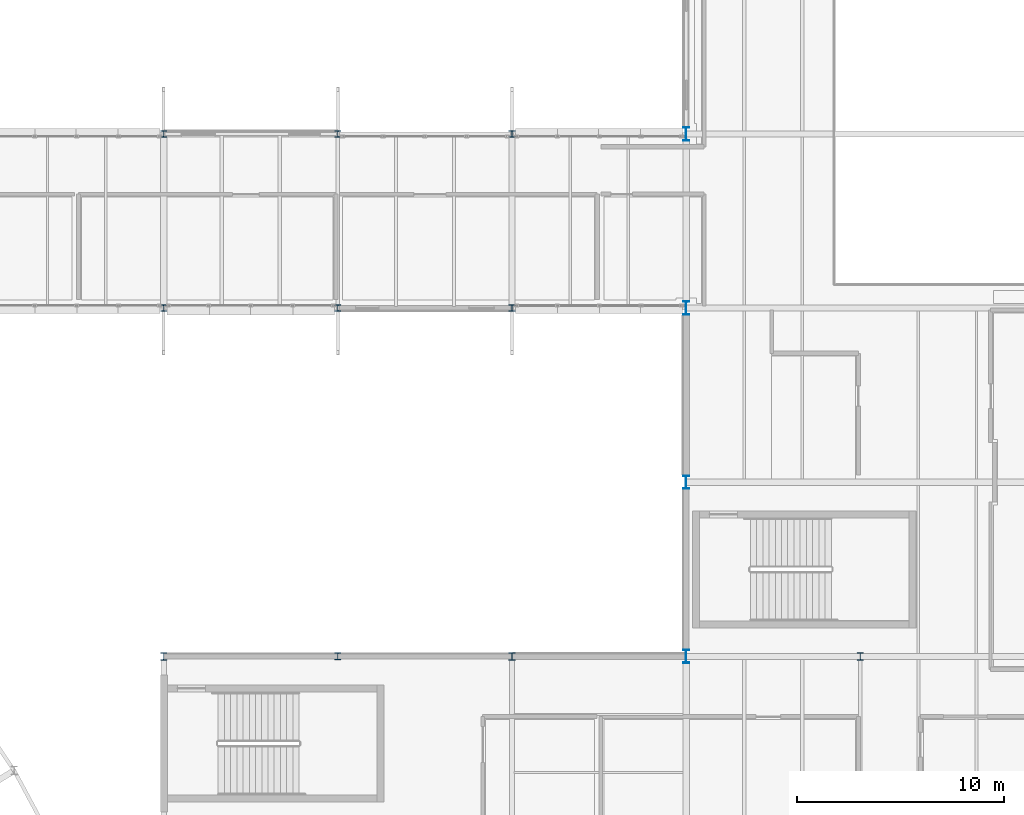
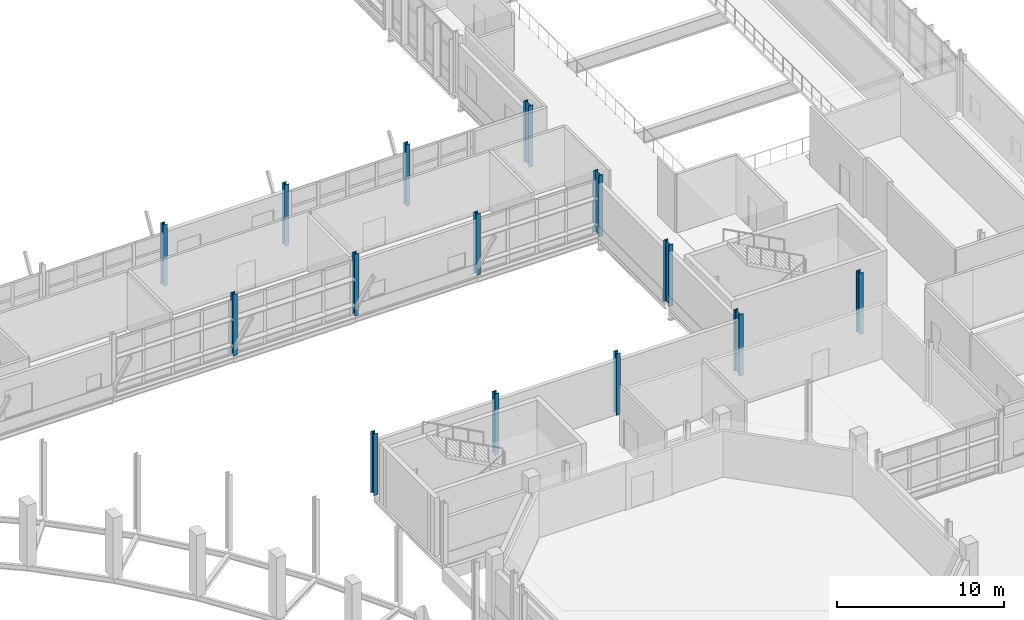
# One storey, part 6 of 129: 14 columns.
"""IFC4 building model written with IfcOpenShell, lengths in metres."""

from ifc_helpers import new_model, si_unit, direction, frame, origin, origin_2d, place, context, subcontext, project, spatial, i_section, extrude, material, material_profile, profile_set, type_object, element, save


model = new_model("IFC4")

# Units and contexts
model_context = context("Model", 3, precision=1e-05, world=origin(), true_north=direction((0.0, 1.0)))
body_context = subcontext(model_context, "Body", "Model", "MODEL_VIEW")
ifc_project = project(units=[si_unit("LENGTHUNIT", "METRE"), si_unit("AREAUNIT", "SQUARE_METRE"), si_unit("VOLUMEUNIT", "CUBIC_METRE"), si_unit("PLANEANGLEUNIT", "RADIAN"), si_unit("MASSUNIT", "GRAM", prefix="KILO")], contexts=[model_context])

# Site, building, storey
site_placement = place(None, origin())
site = spatial("IfcSite", under=ifc_project, at=site_placement, CompositionType="ELEMENT")
building_placement = place(site_placement, origin())
building = spatial("IfcBuilding", under=site, at=building_placement, Name="Mersafa Astral City Hall", CompositionType="ELEMENT")
storey_placement = place(building_placement, frame((0.0, 0.0, 5.39990234375)))
storey = spatial("IfcBuildingStorey", under=building, at=storey_placement, Name="L01", CompositionType="ELEMENT", Elevation=5.39990234375)

# Columns
ifc_material = material(Name="Steel S355", Category="steel")
ifc_material_profile_1 = material_profile(ifc_material, i_section(OverallWidth=0.300048828125, OverallDepth=0.300048828125, WebThickness=0.010986328125, FlangeThickness=0.01904296875, FilletRadius=0.027099609375, at=origin_2d()), Name="HEB 300")
ifc_profile_set_1 = profile_set([ifc_material_profile_1], Name="Steel S355")
column_type_1 = type_object("IfcColumnType", Name="STR-COL-HEB300", PredefinedType="COLUMN", material=ifc_profile_set_1)
for number, where, z_axis, x_axis, name in (
    (1, (67.199951171875, 50.39990234375, 0.0), (0.0, 0.0, 1.0), (1.0, 0.0, 0.0), "L01 Structural column G-08-06"),
    (2, (67.199951171875, 58.800048828125, 0.0), (0.0, 0.0, 1.0), (1.0, 0.0, 0.0), "L01 Structural column G-08-07"),
    (3, (75.60009765625, 50.39990234375, 0.0), (0.0, 0.0, 1.0), (1.0, 0.0, 0.0), "L01 Structural column G-09-06"),
    (4, (75.60009765625, 58.800048828125, 0.0), (0.0, 0.0, 1.0), (1.0, 0.0, 0.0), "L01 Structural column G-09-07"),
    (5, (84.0, 50.39990234375, 0.0), (0.0, 0.0, 1.0), (1.0, 0.0, 0.0), "L01 Structural column G-10-06"),
    (6, (84.0, 58.800048828125, 0.0), (0.0, 0.0, 1.0), (1.0, 0.0, 0.0), "L01 Structural column G-10-07"),
):
    element("IfcColumn", number, at=place(storey_placement, frame(where, z_axis=z_axis, x_axis=x_axis)), inside=storey, type_object=column_type_1, Name=name, PredefinedType="COLUMN", context=body_context, shape_type="SweptSolid", body=[
        extrude(i_section(OverallWidth=0.300048828125, OverallDepth=0.300048828125, WebThickness=0.010986328125, FlangeThickness=0.01904296875, FilletRadius=0.027099609375, at=origin_2d()), origin(), (0.0, 0.0, 1.0), 4.5),
    ])
ifc_material_profile_2 = material_profile(ifc_material, i_section(OverallWidth=0.300048828125, OverallDepth=0.340087890625, WebThickness=0.011962890625, FlangeThickness=0.021484375, FilletRadius=0.027099609375, at=origin_2d()), Name="HEB 340")
ifc_profile_set_2 = profile_set([ifc_material_profile_2], Name="Steel S355")
column_type_2 = type_object("IfcColumnType", Name="STR-COL-HEB340", PredefinedType="COLUMN", material=ifc_profile_set_2)
column_placement = place(storey_placement, frame((75.60009765625, 33.60009765625, 0.0), z_axis=(0.0, 0.0, 1.0), x_axis=(1.0, 0.0, 0.0)))
element("IfcColumn", 7, at=column_placement, inside=storey, type_object=column_type_2, Name="L01 Structural column G-09-04", PredefinedType="COLUMN", context=body_context, shape_type="SweptSolid", body=[
    extrude(i_section(OverallWidth=0.300048828125, OverallDepth=0.340087890625, WebThickness=0.011962890625, FlangeThickness=0.021484375, FilletRadius=0.027099609375, at=origin_2d()), origin(), (0.0, 0.0, 1.0), 4.5),
])
ifc_material_profile_3 = material_profile(ifc_material, i_section(OverallWidth=0.300048828125, OverallDepth=0.360107421875, WebThickness=0.012451171875, FlangeThickness=0.0224609375, FilletRadius=0.027099609375, at=origin_2d()), Name="HEB 360")
ifc_profile_set_3 = profile_set([ifc_material_profile_3], Name="Steel S355")
column_type_3 = type_object("IfcColumnType", Name="STR-COL-HEB360", PredefinedType="COLUMN", material=ifc_profile_set_3)
for number, where, z_axis, x_axis, name in (
    (8, (67.199951171875, 33.60009765625, 0.0), (0.0, 0.0, 1.0), (1.0, 0.0, 0.0), "L01 Structural column G-08-04"),
    (9, (84.0, 33.60009765625, 0.0), (0.0, 0.0, 1.0), (1.0, 0.0, 0.0), "L01 Structural column G-10-04"),
    (10, (100.800048828125, 33.60009765625, 0.0), (0.0, 0.0, 1.0), (1.0, 0.0, 0.0), "L01 Structural column G-12-04"),
):
    element("IfcColumn", number, at=place(storey_placement, frame(where, z_axis=z_axis, x_axis=x_axis)), inside=storey, type_object=column_type_3, Name=name, PredefinedType="COLUMN", context=body_context, shape_type="SweptSolid", body=[
        extrude(i_section(OverallWidth=0.300048828125, OverallDepth=0.360107421875, WebThickness=0.012451171875, FlangeThickness=0.0224609375, FilletRadius=0.027099609375, at=origin_2d()), origin(), (0.0, 0.0, 1.0), 4.5),
    ])
ifc_material_profile_4 = material_profile(ifc_material, i_section(OverallWidth=0.300048828125, OverallDepth=0.64990234375, WebThickness=0.01611328125, FlangeThickness=0.031005859375, FilletRadius=0.027099609375, at=origin_2d()), Name="HEB 650")
ifc_profile_set_4 = profile_set([ifc_material_profile_4], Name="Steel S355")
column_type_4 = type_object("IfcColumnType", Name="STR-COL-HEB650", PredefinedType="COLUMN", material=ifc_profile_set_4)
for number, where, z_axis, x_axis, name in (
    (11, (92.39990234375, 33.60009765625, 0.0), (0.0, 0.0, 1.0), (1.0, 0.0, 0.0), "L01 Structural column G-11-04"),
    (12, (92.39990234375, 42.0, 0.0), (0.0, 0.0, 1.0), (1.0, 0.0, 0.0), "L01 Structural column G-11-05"),
    (13, (92.39990234375, 50.39990234375, 0.0), (0.0, 0.0, 1.0), (1.0, 0.0, 0.0), "L01 Structural column G-11-06"),
    (14, (92.39990234375, 58.800048828125, 0.0), (0.0, 0.0, 1.0), (1.0, 0.0, 0.0), "L01 Structural column G-11-07"),
):
    element("IfcColumn", number, at=place(storey_placement, frame(where, z_axis=z_axis, x_axis=x_axis)), inside=storey, type_object=column_type_4, Name=name, PredefinedType="COLUMN", context=body_context, shape_type="SweptSolid", body=[
        extrude(i_section(OverallWidth=0.300048828125, OverallDepth=0.64990234375, WebThickness=0.01611328125, FlangeThickness=0.031005859375, FilletRadius=0.027099609375, at=origin_2d()), origin(), (0.0, 0.0, 1.0), 4.5),
    ])

save(model, "model.ifc")
